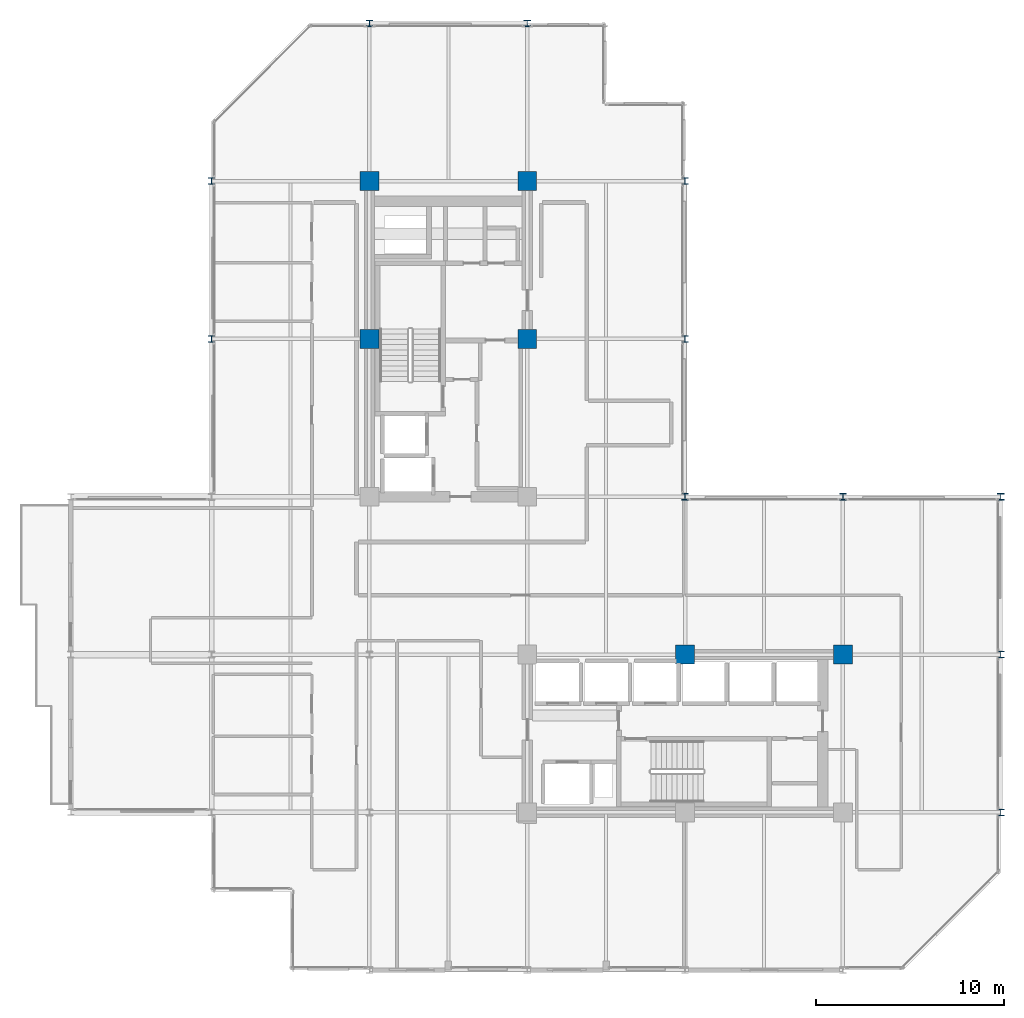
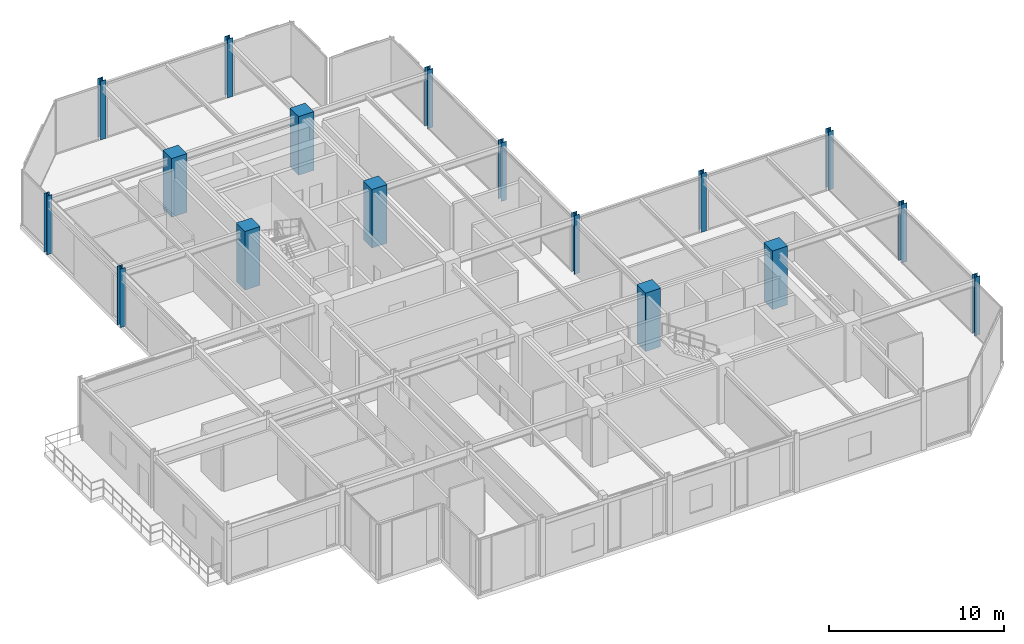
# One storey, part 2 of 29: 17 columns.
"""IFC4 building model written with IfcOpenShell, lengths in metres."""

from ifc_helpers import new_model, si_unit, direction, frame, origin, origin_2d, place, context, subcontext, project, spatial, rectangle, i_section, extrude, material, material_profile, profile_set, type_object, element, save


model = new_model("IFC4")

# Units and contexts
model_context = context("Model", 3, precision=1e-05, world=origin(), true_north=direction((0.0, 1.0)))
body_context = subcontext(model_context, "Body", "Model", "MODEL_VIEW")
ifc_project = project(units=[si_unit("LENGTHUNIT", "METRE"), si_unit("AREAUNIT", "SQUARE_METRE"), si_unit("VOLUMEUNIT", "CUBIC_METRE"), si_unit("PLANEANGLEUNIT", "RADIAN"), si_unit("MASSUNIT", "GRAM", prefix="KILO")], contexts=[model_context])

# Site, building, storey
site_placement = place(None, origin())
site = spatial("IfcSite", under=ifc_project, at=site_placement, CompositionType="ELEMENT")
building_placement = place(site_placement, origin())
building = spatial("IfcBuilding", under=site, at=building_placement, Name="Nerrivon Quay Data Exchange", CompositionType="ELEMENT")
storey_placement = place(building_placement, frame((0.0, 0.0, 187.800048828125)))
storey = spatial("IfcBuildingStorey", under=building, at=storey_placement, Name="L44", CompositionType="ELEMENT", Elevation=187.800048828125)

# Columns
ifc_material_1 = material(Name="Concrete S65 (65 MPa)", Category="concrete")
ifc_material_profile_1 = material_profile(ifc_material_1, rectangle(XDim=1.0, YDim=1.0, at=origin_2d()), Name="RC-COL-1000x1000")
ifc_profile_set_1 = profile_set([ifc_material_profile_1], Name="Concrete S65 (65 MPa)")
column_type_1 = type_object("IfcColumnType", Name="COL-C4-1000", PredefinedType="COLUMN", material=ifc_profile_set_1)
for number, where, z_axis, x_axis, name in (
    (1, (8.39990234375, 33.60009765625, 0.0), (0.0, 0.0, 1.0), (1.0, 0.0, 0.0), "L44 Column (8.4,33.6)"),
    (2, (8.39990234375, 42.0, 0.0), (0.0, 0.0, 1.0), (1.0, 0.0, 0.0), "L44 Column (8.4,42.0)"),
    (3, (16.800048828125, 33.60009765625, 0.0), (0.0, 0.0, 1.0), (1.0, 0.0, 0.0), "L44 Column (16.8,33.6)"),
    (4, (16.800048828125, 42.0, 0.0), (0.0, 0.0, 1.0), (1.0, 0.0, 0.0), "L44 Column (16.8,42.0)"),
    (5, (25.199951171875, 16.800048828125, 0.0), (0.0, 0.0, 1.0), (1.0, 0.0, 0.0), "L44 Column (25.2,16.8)"),
    (6, (33.60009765625, 16.800048828125, 0.0), (0.0, 0.0, 1.0), (1.0, 0.0, 0.0), "L44 Column (33.6,16.8)"),
):
    element("IfcColumn", number, at=place(storey_placement, frame(where, z_axis=z_axis, x_axis=x_axis)), inside=storey, type_object=column_type_1, Name=name, PredefinedType="COLUMN", context=body_context, shape_type="SweptSolid", body=[
        extrude(rectangle(XDim=1.0, YDim=1.0, at=origin_2d()), origin(), (0.0, 0.0, 1.0), 4.099853515625),
    ])
ifc_material_2 = material(Name="Steel Grade 350", Category="steel")
ifc_material_profile_2 = material_profile(ifc_material_2, i_section(OverallWidth=0.35009765625, OverallDepth=0.35009765625, WebThickness=0.02001953125, FlangeThickness=0.031982421875, at=origin_2d()), Name="350WC230")
ifc_profile_set_2 = profile_set([ifc_material_profile_2], Name="Steel Grade 350")
column_type_2 = type_object("IfcColumnType", Name="COL-SC3-350WC", PredefinedType="COLUMN", material=ifc_profile_set_2)
for number, where, z_axis, x_axis, name in (
    (7, (0.0, 33.60009765625, 0.0), (0.0, 0.0, 1.0), (1.0, 0.0, 0.0), "L44 Column (0.0,33.6)"),
    (8, (0.0, 42.0, 0.0), (0.0, 0.0, 1.0), (1.0, 0.0, 0.0), "L44 Column (0.0,42.0)"),
    (9, (8.39990234375, 50.39990234375, 0.0), (0.0, 0.0, 1.0), (1.0, 0.0, 0.0), "L44 Column (8.4,50.4)"),
    (10, (16.800048828125, 50.39990234375, 0.0), (0.0, 0.0, 1.0), (1.0, 0.0, 0.0), "L44 Column (16.8,50.4)"),
    (11, (25.199951171875, 25.199951171875, 0.0), (0.0, 0.0, 1.0), (1.0, 0.0, 0.0), "L44 Column (25.2,25.2)"),
    (12, (25.199951171875, 33.60009765625, 0.0), (0.0, 0.0, 1.0), (1.0, 0.0, 0.0), "L44 Column (25.2,33.6)"),
    (13, (25.199951171875, 42.0, 0.0), (0.0, 0.0, 1.0), (1.0, 0.0, 0.0), "L44 Column (25.2,42.0)"),
    (14, (33.60009765625, 25.199951171875, 0.0), (0.0, 0.0, 1.0), (1.0, 0.0, 0.0), "L44 Column (33.6,25.2)"),
    (15, (42.0, 8.39990234375, 0.0), (0.0, 0.0, 1.0), (1.0, 0.0, 0.0), "L44 Column (42.0,8.4)"),
    (16, (42.0, 16.800048828125, 0.0), (0.0, 0.0, 1.0), (1.0, 0.0, 0.0), "L44 Column (42.0,16.8)"),
    (17, (42.0, 25.199951171875, 0.0), (0.0, 0.0, 1.0), (1.0, 0.0, 0.0), "L44 Column (42.0,25.2)"),
):
    element("IfcColumn", number, at=place(storey_placement, frame(where, z_axis=z_axis, x_axis=x_axis)), inside=storey, type_object=column_type_2, Name=name, PredefinedType="COLUMN", context=body_context, shape_type="SweptSolid", body=[
        extrude(i_section(OverallWidth=0.35009765625, OverallDepth=0.35009765625, WebThickness=0.02001953125, FlangeThickness=0.031982421875, at=origin_2d()), origin(), (0.0, 0.0, 1.0), 4.099853515625),
    ])

save(model, "model.ifc")
